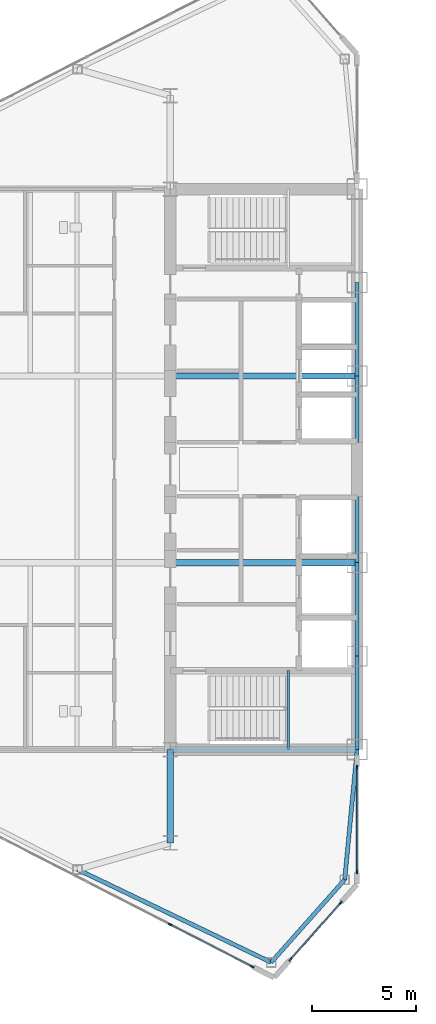
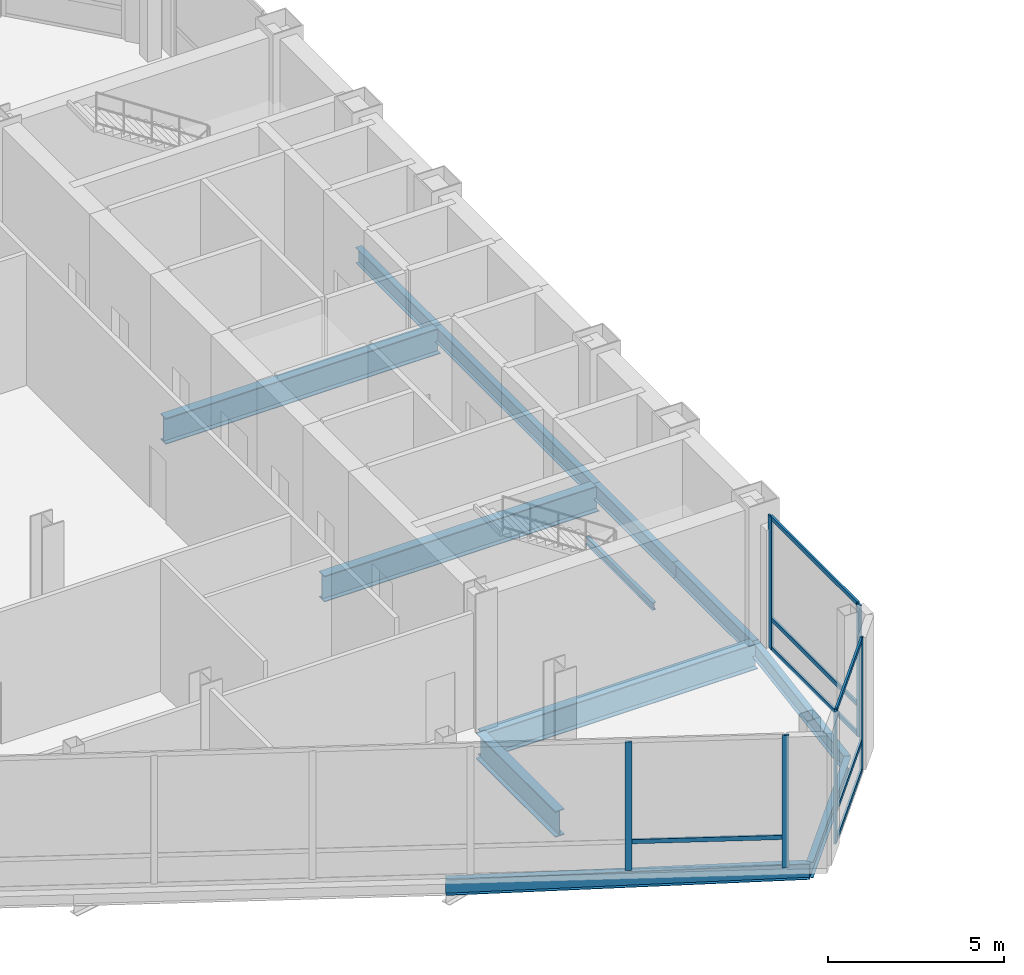
# One storey, part 5 of 22: 13 members, 12 beams, 3 elements without a shape of their own.
"""IFC4 building model written with IfcOpenShell, lengths in metres."""

from ifc_helpers import new_model, si_unit, direction, frame, origin, origin_2d, place, context, subcontext, project, spatial, rectangle, i_section, extrude, source, transform, mapped, material, layer, layer_set, material_profile, profile_set, type_object, type_shapes, element, aggregate, save


model = new_model("IFC4")

# Units and contexts
model_context = context("Model", 3, precision=1e-05, world=origin(), true_north=direction((0.0, 1.0)))
body_context = subcontext(model_context, "Body", "Model", "MODEL_VIEW")
ifc_project = project(units=[si_unit("LENGTHUNIT", "METRE"), si_unit("AREAUNIT", "SQUARE_METRE"), si_unit("VOLUMEUNIT", "CUBIC_METRE"), si_unit("PLANEANGLEUNIT", "RADIAN"), si_unit("MASSUNIT", "GRAM", prefix="KILO")], contexts=[model_context])

# Site, building, storey
site_placement = place(None, origin())
site = spatial("IfcSite", under=ifc_project, at=site_placement, CompositionType="ELEMENT")
building_placement = place(site_placement, origin())
building = spatial("IfcBuilding", under=site, at=building_placement, Name="Seokmaru Belvedere", CompositionType="ELEMENT")
storey_placement = place(building_placement, frame((0.0, 0.0, 135.60009765625)))
storey = spatial("IfcBuildingStorey", under=building, at=storey_placement, Name="L36", CompositionType="ELEMENT", Elevation=135.60009765625)

# Beams
ifc_material_1 = material(Name="Steel SM355 (355 MPa)", Category="steel")
ifc_material_profile_1 = material_profile(ifc_material_1, i_section(OverallWidth=0.300048828125, OverallDepth=0.89990234375, WebThickness=0.01611328125, FlangeThickness=0.028076171875, at=origin_2d()), Name="H-900x300x16x28")
ifc_profile_set_1 = profile_set([ifc_material_profile_1], Name="Steel SM355 (355 MPa)")
beam_type_1 = type_object("IfcBeamType", Name="Refuge Floor Girder H-900", PredefinedType="BEAM", material=ifc_profile_set_1)
shared_shape_1 = source(origin(), body_context, "Body", "SweptSolid", [
    extrude(i_section(OverallWidth=0.300048828125, OverallDepth=0.89990234375, WebThickness=0.01611328125, FlangeThickness=0.028076171875, at=origin_2d()), origin(), (0.0, 0.0, 1.0), 4.5),
])
beam_1_placement = place(storey_placement, frame((-36.5, -18.0, -0.710205078125), z_axis=(0.0, 1.0, 0.0), x_axis=(-1.0, 0.0, 0.0)))
element("IfcBeam", 1, at=beam_1_placement, inside=storey, type_object=beam_type_1, Name="L36 W Core Shoulder Girder S", PredefinedType="BEAM", context=body_context, shape_type="MappedRepresentation", body=[
    mapped(shared_shape_1, transform((0.0, 0.0, 0.0), scale=1.0)),
])
shared_shape_2 = source(origin(), body_context, "Body", "SweptSolid", [
    extrude(i_section(OverallWidth=0.300048828125, OverallDepth=0.89990234375, WebThickness=0.01611328125, FlangeThickness=0.028076171875, at=origin_2d()), origin(), (0.0, 0.0, 1.0), 9.0),
])
type_shapes(beam_type_1, [shared_shape_1, shared_shape_2])
for number, where, z_axis, x_axis, name in (
    (2, (-36.5, -13.5, -0.710205078125), (1.0, 0.0, 0.0), (0.0, 1.0, 0.0), "L36 W Core Tie Girder 1"),
    (3, (-36.5, -4.5, -0.710205078125), (1.0, 0.0, 0.0), (0.0, 1.0, 0.0), "L36 W Core Tie Girder 2"),
    (4, (-36.5, 4.5, -0.710205078125), (1.0, 0.0, 0.0), (0.0, 1.0, 0.0), "L36 W Core Tie Girder 3"),
):
    element("IfcBeam", number, at=place(storey_placement, frame(where, z_axis=z_axis, x_axis=x_axis)), inside=storey, type_object=beam_type_1, Name=name, PredefinedType="BEAM", context=body_context, shape_type="MappedRepresentation", body=[
        mapped(shared_shape_2, transform((0.0, 0.0, 0.0), scale=1.0)),
    ])
ifc_material_profile_2 = material_profile(ifc_material_1, i_section(OverallWidth=0.199951171875, OverallDepth=0.550048828125, WebThickness=0.010009765625, FlangeThickness=0.01611328125, at=origin_2d()), Name="H-550x200x10x16")
ifc_profile_set_2 = profile_set([ifc_material_profile_2], Name="Steel SM355 (355 MPa)")
beam_type_2 = type_object("IfcBeamType", Name="Sky-Lobby Spandrel Beam H-550", PredefinedType="SPANDREL", material=ifc_profile_set_2)
shared_shape_3 = source(origin(), body_context, "Body", "SweptSolid", [
    extrude(i_section(OverallWidth=0.199951171875, OverallDepth=0.550048828125, WebThickness=0.010009765625, FlangeThickness=0.01611328125, at=origin_2d()), origin(), (0.0, 0.0, 1.0), 4.5),
])
for number, where, z_axis, x_axis, name in (
    (5, (-27.5, -13.5, -0.53515625), (0.0, 1.0, 0.0), (-1.0, 0.0, 0.0), "L36 W Portal Spine Spandrel 1"),
    (6, (-27.5, -9.0, -0.53515625), (0.0, 1.0, 0.0), (-1.0, 0.0, 0.0), "L36 W Portal Spine Spandrel 2"),
    (7, (-27.5, 4.5, -0.53515625), (0.0, 1.0, 0.0), (-1.0, 0.0, 0.0), "L36 W Portal Spine Spandrel 4"),
):
    element("IfcBeam", number, at=place(storey_placement, frame(where, z_axis=z_axis, x_axis=x_axis)), inside=storey, type_object=beam_type_2, Name=name, PredefinedType="SPANDREL", context=body_context, shape_type="MappedRepresentation", body=[
        mapped(shared_shape_3, transform((0.0, 0.0, 0.0), scale=1.0)),
    ])
shared_shape_4 = source(origin(), body_context, "Body", "SweptSolid", [
    extrude(i_section(OverallWidth=0.199951171875, OverallDepth=0.550048828125, WebThickness=0.010009765625, FlangeThickness=0.01611328125, at=origin_2d()), origin(), (0.0, 0.0, 1.0), 9.0),
])
beam_2_placement = place(storey_placement, frame((-27.5, -4.5, -0.53515625), z_axis=(0.0, 1.0, 0.0), x_axis=(-1.0, 0.0, 0.0)))
element("IfcBeam", 8, at=beam_2_placement, inside=storey, type_object=beam_type_2, Name="L36 W Portal Spine Spandrel 3", PredefinedType="SPANDREL", context=body_context, shape_type="MappedRepresentation", body=[
    mapped(shared_shape_4, transform((0.0, 0.0, 0.0), scale=1.0)),
])
shared_shape_5 = source(origin(), body_context, "Body", "SweptSolid", [
    extrude(i_section(OverallWidth=0.199951171875, OverallDepth=0.550048828125, WebThickness=0.010009765625, FlangeThickness=0.01611328125, at=origin_2d()), origin(), (0.0, 0.0, 1.0), 10.353759765625),
])
beam_3_placement = place(storey_placement, frame((-31.6396484375, -23.75390625, -0.53515625), z_axis=(-0.901713202822, 0.432334708134, 0.0), x_axis=(-0.432334708134, -0.901713202822, 0.0)))
element("IfcBeam", 9, at=beam_3_placement, inside=storey, type_object=beam_type_2, Name="L36 W Faceted Flank Spandrel S-1", PredefinedType="SPANDREL", context=body_context, shape_type="MappedRepresentation", body=[
    mapped(shared_shape_5, transform((0.0, 0.0, 0.0), scale=1.0)),
])
shared_shape_6 = source(origin(), body_context, "Body", "SweptSolid", [
    extrude(i_section(OverallWidth=0.199951171875, OverallDepth=0.550048828125, WebThickness=0.010009765625, FlangeThickness=0.01611328125, at=origin_2d()), origin(), (0.0, 0.0, 1.0), 5.32763671875),
])
beam_4_placement = place(storey_placement, frame((-31.6396484375, -23.75390625, -0.53515625), z_axis=(0.66436952742, 0.74740426212, 0.0), x_axis=(-0.74740426212, 0.66436952742, 0.0)))
element("IfcBeam", 10, at=beam_4_placement, inside=storey, type_object=beam_type_2, Name="L36 W Shoulder Chamfer Spandrel S", PredefinedType="SPANDREL", context=body_context, shape_type="MappedRepresentation", body=[
    mapped(shared_shape_6, transform((0.0, 0.0, 0.0), scale=1.0)),
])
shared_shape_7 = source(origin(), body_context, "Body", "SweptSolid", [
    extrude(i_section(OverallWidth=0.199951171875, OverallDepth=0.550048828125, WebThickness=0.010009765625, FlangeThickness=0.01611328125, at=origin_2d()), origin(), (0.0, 0.0, 1.0), 6.300537109375),
])
type_shapes(beam_type_2, [shared_shape_3, shared_shape_4, shared_shape_5, shared_shape_6, shared_shape_7])
beam_5_placement = place(storey_placement, frame((-28.10009765625, -19.77197265625, -0.53515625), z_axis=(0.095244287992, 0.995453929424, 0.0), x_axis=(-0.995453929424, 0.095244287992, 0.0)))
element("IfcBeam", 11, at=beam_5_placement, inside=storey, type_object=beam_type_2, Name="L36 W Shoulder Spine Spandrel S", PredefinedType="SPANDREL", context=body_context, shape_type="MappedRepresentation", body=[
    mapped(shared_shape_7, transform((0.0, 0.0, 0.0), scale=1.0)),
])

# Curtain wall, members
ifc_material_2 = material(Name="Bronze Triple Insulating Glass", Category="glass")
ifc_layer = layer(ifc_material_2, 0.195068359375)
ifc_layer_set = layer_set([ifc_layer], Name="Bronze Triple Insulating Glass")
curtain_wall_type = type_object("IfcCurtainWallType", Name="Sky-Lobby and Mid-Rise Curtain Wall System CW-4", PredefinedType="NOTDEFINED", material=ifc_layer_set)
curtain_wall_1_placement = place(storey_placement, origin())
curtain_wall_1 = element("IfcCurtainWall", 12, at=curtain_wall_1_placement, inside=storey, type_object=curtain_wall_type, Name="L36 Curtain Wall WF6", PredefinedType="NOTDEFINED")
ifc_material_3 = material(Name="Anodised Bronze Aluminium", Category="aluminium")
ifc_material_profile_3 = material_profile(ifc_material_3, rectangle(XDim=0.06494140625, YDim=0.14990234375, at=origin_2d()), Name="CW-T-65x150")
ifc_profile_set_3 = profile_set([ifc_material_profile_3], Name="Anodised Bronze Aluminium")
member_type_1 = type_object("IfcMemberType", Name="Bronze Unitised Transom 65x150", PredefinedType="USERDEFINED", material=ifc_profile_set_3)
shared_shape_8 = source(origin(), body_context, "Body", "SweptSolid", [
    extrude(rectangle(XDim=0.06494140625, YDim=0.14990234375, at=origin_2d()), origin(), (0.0, 0.0, 1.0), 3.580810546875),
])
member_1_placement = place(storey_placement, frame((-30.689453125, -23.588134765625, 0.032470703125), z_axis=(0.66436383883, 0.747409318684, 0.0), x_axis=(-0.747409318684, 0.66436383883, 0.0)))
member_1 = element("IfcMember", 13, at=member_1_placement, type_object=member_type_1, Name="CW:L36:WF6 Continuous Transom 1", ObjectType="TRANSOM", PredefinedType="USERDEFINED", context=body_context, shape_type="MappedRepresentation", body=[
    mapped(shared_shape_8, transform((0.0, 0.0, 0.0), scale=1.0)),
])
member_2_placement = place(storey_placement, frame((-30.689453125, -23.588134765625, 4.54736328125), z_axis=(0.66436383883, 0.747409318684, 0.0), x_axis=(-0.747409318684, 0.66436383883, 0.0)))
member_2 = element("IfcMember", 14, at=member_2_placement, type_object=member_type_1, Name="CW:L36:WF6 Continuous Transom 2", ObjectType="TRANSOM", PredefinedType="USERDEFINED", context=body_context, shape_type="MappedRepresentation", body=[
    mapped(shared_shape_8, transform((0.0, 0.0, 0.0), scale=1.0)),
])
member_3_placement = place(storey_placement, frame((-30.689453125, -23.588134765625, 1.0498046875), z_axis=(0.66436383883, 0.747409318684, 0.0), x_axis=(-0.747409318684, 0.66436383883, 0.0)))
member_3 = element("IfcMember", 15, at=member_3_placement, type_object=member_type_1, Name="CW:L36:WF6 Spandrel Transom 1", ObjectType="TRANSOM", PredefinedType="USERDEFINED", context=body_context, shape_type="MappedRepresentation", body=[
    mapped(shared_shape_8, transform((0.0, 0.0, 0.0), scale=1.0)),
])

curtain_wall_2_placement = place(storey_placement, origin())
curtain_wall_2 = element("IfcCurtainWall", 16, at=curtain_wall_2_placement, inside=storey, type_object=curtain_wall_type, Name="L36 Curtain Wall WSP_1", PredefinedType="NOTDEFINED")
ifc_material_profile_4 = material_profile(ifc_material_3, rectangle(XDim=0.070068359375, YDim=0.195068359375, at=origin_2d()), Name="CW-M-70x195")
ifc_profile_set_4 = profile_set([ifc_material_profile_4], Name="Anodised Bronze Aluminium")
member_type_2 = type_object("IfcMemberType", Name="Bronze Unitised Mullion 70x195", PredefinedType="MULLION", material=ifc_profile_set_4)
shared_shape_9 = source(origin(), body_context, "Body", "SweptSolid", [
    extrude(rectangle(XDim=0.070068359375, YDim=0.195068359375, at=origin_2d()), origin(), (0.0, 0.0, 1.0), 4.579833984375),
])
member_4_placement = place(storey_placement, frame((-27.5, -19.39501953125, 0.0), z_axis=(0.0, 0.0, 1.0), x_axis=(-1.0, 0.0, 0.0)))
member_4 = element("IfcMember", 17, at=member_4_placement, type_object=member_type_2, Name="CW:L36:WSP_1 Mullion 1", PredefinedType="MULLION", context=body_context, shape_type="MappedRepresentation", body=[
    mapped(shared_shape_9, transform((0.0, 0.0, 0.0), scale=1.0)),
])
member_5_placement = place(storey_placement, frame((-27.5, -14.364990234375, 0.0), z_axis=(0.0, 0.0, 1.0), x_axis=(-1.0, 0.0, 0.0)))
member_5 = element("IfcMember", 18, at=member_5_placement, type_object=member_type_2, Name="CW:L36:WSP_1 Mullion 2", PredefinedType="MULLION", context=body_context, shape_type="MappedRepresentation", body=[
    mapped(shared_shape_9, transform((0.0, 0.0, 0.0), scale=1.0)),
])

# Curtain wall, member
curtain_wall_3_placement = place(storey_placement, origin())
curtain_wall_3 = element("IfcCurtainWall", 19, at=curtain_wall_3_placement, inside=storey, type_object=curtain_wall_type, Name="L36 Curtain Wall WF5", PredefinedType="NOTDEFINED")
member_6_placement = place(storey_placement, frame((-32.55419921875, -23.958984375, 0.0), z_axis=(0.0, 0.0, 1.0), x_axis=(0.456554528263, 0.889695432562, 0.0)))
member_6 = element("IfcMember", 20, at=member_6_placement, type_object=member_type_2, Name="CW:L36:WF5 Mullion 10", PredefinedType="MULLION", context=body_context, shape_type="MappedRepresentation", body=[
    mapped(shared_shape_9, transform((0.0, 0.0, 0.0), scale=1.0)),
])

# Member
member_7_placement = place(storey_placement, frame((-30.712646484375, -23.6142578125, 0.0), z_axis=(0.0, 0.0, 1.0), x_axis=(-0.747409774804, 0.664363325694, 0.0)))
member_7 = element("IfcMember", 21, at=member_7_placement, type_object=member_type_2, Name="CW:L36:WF6 Mullion 1", PredefinedType="MULLION", context=body_context, shape_type="MappedRepresentation", body=[
    mapped(shared_shape_9, transform((0.0, 0.0, 0.0), scale=1.0)),
])

member_8_placement = place(storey_placement, frame((-28.287353515625, -20.8857421875, 0.0), z_axis=(0.0, 0.0, 1.0), x_axis=(-0.747409774804, 0.664363325694, 0.0)))
member_8 = element("IfcMember", 22, at=member_8_placement, type_object=member_type_2, Name="CW:L36:WF6 Mullion 2", PredefinedType="MULLION", context=body_context, shape_type="MappedRepresentation", body=[
    mapped(shared_shape_9, transform((0.0, 0.0, 0.0), scale=1.0)),
])

aggregate(curtain_wall_1, [member_7, member_8, member_1, member_2, member_3])

shared_shape_10 = source(origin(), body_context, "Body", "SweptSolid", [
    extrude(rectangle(XDim=0.06494140625, YDim=0.14990234375, at=origin_2d()), origin(), (0.0, 0.0, 1.0), 4.960205078125),
])
member_9_placement = place(storey_placement, frame((-27.5, -19.360107421875, 0.032470703125), z_axis=(0.0, 1.0, 0.0), x_axis=(-1.0, 0.0, 0.0)))
member_9 = element("IfcMember", 23, at=member_9_placement, type_object=member_type_1, Name="CW:L36:WSP_1 Continuous Transom 1", ObjectType="TRANSOM", PredefinedType="USERDEFINED", context=body_context, shape_type="MappedRepresentation", body=[
    mapped(shared_shape_10, transform((0.0, 0.0, 0.0), scale=1.0)),
])

member_10_placement = place(storey_placement, frame((-27.5, -19.360107421875, 4.54736328125), z_axis=(0.0, 1.0, 0.0), x_axis=(-1.0, 0.0, 0.0)))
member_10 = element("IfcMember", 24, at=member_10_placement, type_object=member_type_1, Name="CW:L36:WSP_1 Continuous Transom 2", ObjectType="TRANSOM", PredefinedType="USERDEFINED", context=body_context, shape_type="MappedRepresentation", body=[
    mapped(shared_shape_10, transform((0.0, 0.0, 0.0), scale=1.0)),
])

member_11_placement = place(storey_placement, frame((-27.5, -19.360107421875, 1.0498046875), z_axis=(0.0, 1.0, 0.0), x_axis=(-1.0, 0.0, 0.0)))
member_11 = element("IfcMember", 25, at=member_11_placement, type_object=member_type_1, Name="CW:L36:WSP_1 Spandrel Transom 1", ObjectType="TRANSOM", PredefinedType="USERDEFINED", context=body_context, shape_type="MappedRepresentation", body=[
    mapped(shared_shape_10, transform((0.0, 0.0, 0.0), scale=1.0)),
])

aggregate(curtain_wall_2, [member_4, member_5, member_9, member_10, member_11])

shared_shape_11 = source(origin(), body_context, "Body", "SweptSolid", [
    extrude(rectangle(XDim=0.070068359375, YDim=0.195068359375, at=origin_2d()), origin(), (0.0, 0.0, 1.0), 4.449951171875),
])
type_shapes(member_type_2, [shared_shape_9, shared_shape_11])
member_12_placement = place(storey_placement, frame((-36.51806640625, -21.925048828125, 0.06494140625), z_axis=(0.0, 0.0, 1.0), x_axis=(0.456554528263, 0.889695432562, 0.0)))
member_12 = element("IfcMember", 26, at=member_12_placement, type_object=member_type_2, Name="CW:L36:WF5 Mullion 9", PredefinedType="MULLION", context=body_context, shape_type="MappedRepresentation", body=[
    mapped(shared_shape_11, transform((0.0, 0.0, 0.0), scale=1.0)),
])

shared_shape_12 = source(origin(), body_context, "Body", "SweptSolid", [
    extrude(rectangle(XDim=0.06494140625, YDim=0.14990234375, at=origin_2d()), origin(), (0.0, 0.0, 1.0), 4.38525390625),
])
type_shapes(member_type_1, [shared_shape_8, shared_shape_10, shared_shape_12])
member_13_placement = place(storey_placement, frame((-36.48681640625, -21.94091796875, 1.0498046875), z_axis=(0.889678887593, -0.456586768282, 0.0), x_axis=(0.456586768282, 0.889678887593, 0.0)))
member_13 = element("IfcMember", 27, at=member_13_placement, type_object=member_type_1, Name="CW:L36:WF5 Spandrel Transom 9", ObjectType="TRANSOM", PredefinedType="USERDEFINED", context=body_context, shape_type="MappedRepresentation", body=[
    mapped(shared_shape_12, transform((0.0, 0.0, 0.0), scale=1.0)),
])

aggregate(curtain_wall_3, [member_12, member_6, member_13])

# Beam
ifc_material_profile_5 = material_profile(ifc_material_1, i_section(OverallWidth=0.125, OverallDepth=0.25, WebThickness=0.006103515625, FlangeThickness=0.009033203125, at=origin_2d()), Name="H-250x125x6x9")
ifc_profile_set_5 = profile_set([ifc_material_profile_5], Name="Steel SM355 (355 MPa)")
beam_type_3 = type_object("IfcBeamType", Name="Stair Mid-Landing Support Beam H-250", PredefinedType="JOIST", material=ifc_profile_set_5)
shared_shape_13 = source(origin(), body_context, "Body", "SweptSolid", [
    extrude(i_section(OverallWidth=0.125, OverallDepth=0.25, WebThickness=0.006103515625, FlangeThickness=0.009033203125, at=origin_2d()), origin(), (0.0, 0.0, 1.0), 3.800048828125),
])
type_shapes(beam_type_3, [shared_shape_13])
beam_6_placement = place(storey_placement, frame((-30.81005859375, -13.5, 2.074951171875), z_axis=(0.0, 1.0, 0.0), x_axis=(-1.0, 0.0, 0.0)))
element("IfcBeam", 28, at=beam_6_placement, inside=storey, type_object=beam_type_3, Name="L36 Stair ST-W1 Mid-Landing Support Beam 1", PredefinedType="JOIST", context=body_context, shape_type="MappedRepresentation", body=[
    mapped(shared_shape_13, transform((0.0, 0.0, 0.0), scale=1.0)),
])

save(model, "model.ifc")
